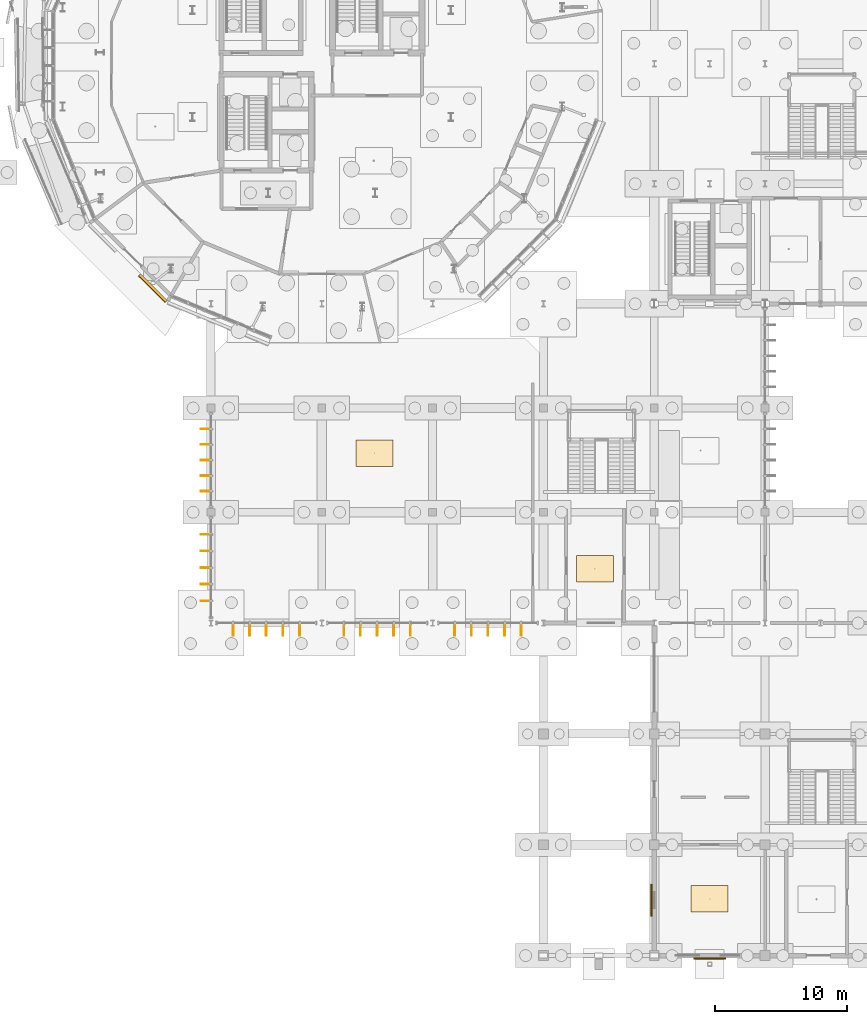
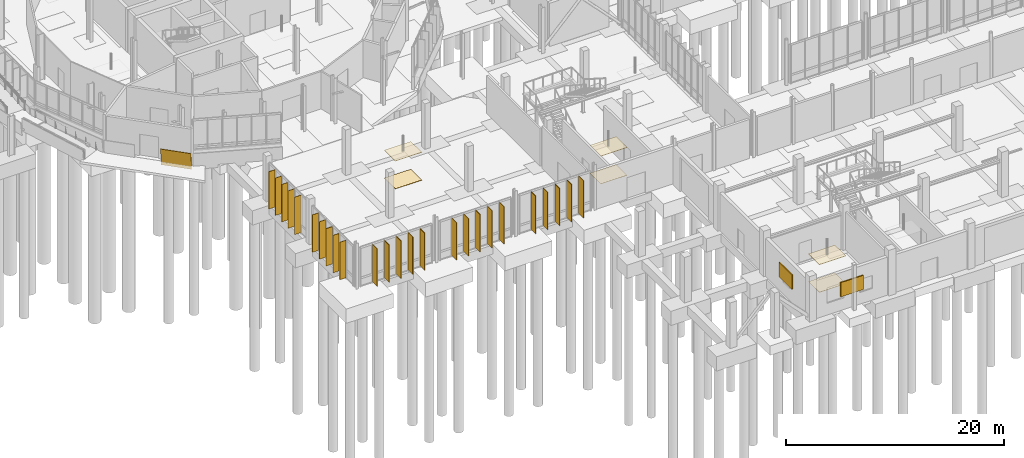
# One storey, part 108 of 119: 27 shading devices, 7 coverings.
"""IFC4 building model written with IfcOpenShell, lengths in metres."""

from ifc_helpers import new_model, si_unit, derived_unit, direction, frame, origin, origin_2d, place, context, subcontext, project, spatial, polyline, rectangle, outline, extrude, material, layer, layer_set, type_object, element, save


model = new_model("IFC4")

# Units and contexts
model_context = context("Model", 3, precision=1e-05, world=origin(), true_north=direction((0.0, 1.0)))
body_context = subcontext(model_context, "Body", "Model", "MODEL_VIEW")
ifc_project = project(units=[si_unit("LENGTHUNIT", "METRE"), si_unit("AREAUNIT", "SQUARE_METRE"), si_unit("VOLUMEUNIT", "CUBIC_METRE"), si_unit("PLANEANGLEUNIT", "RADIAN"), si_unit("MASSUNIT", "GRAM", prefix="KILO"), derived_unit("THERMALTRANSMITTANCEUNIT", [(si_unit("MASSUNIT", "GRAM", prefix="KILO"), 1), (si_unit("TIMEUNIT", "SECOND"), -3), (si_unit("THERMODYNAMICTEMPERATUREUNIT", "KELVIN"), -1)])], contexts=[model_context])

# Site, building, storey
site_placement = place(None, origin())
site = spatial("IfcSite", under=ifc_project, at=site_placement, CompositionType="ELEMENT")
building_placement = place(site_placement, origin())
building = spatial("IfcBuilding", under=site, at=building_placement, Name="Makaiwela Harbour Ferry Terminal", CompositionType="ELEMENT")
storey_placement = place(building_placement, origin())
storey = spatial("IfcBuildingStorey", under=building, at=storey_placement, Name="L00", CompositionType="ELEMENT", Elevation=0.0)

# Covering
ifc_material_1 = material(Name="White glazed marine ceramic rainscreen tile", Category="masonry")
ifc_layer_1 = layer(ifc_material_1, 0.054931640625)
ifc_layer_set_1 = layer_set([ifc_layer_1], Name="White glazed marine ceramic rainscreen tile")
covering_type_1 = type_object("IfcCoveringType", Name="ENV-CLD-CERAMIC", PredefinedType="CLADDING", material=ifc_layer_set_1)
covering_1_placement = place(storey_placement, frame((24.059326171875, 51.69140625, -0.3798828125), z_axis=(0.702867645068, 0.702909710281, 0.109064259545), x_axis=(0.707128191383, -0.707085370334, -3.244267e-06)))
element("IfcCovering", 1, at=covering_1_placement, inside=storey, type_object=covering_type_1, Name="Ceramic Spandrel Facet CLD-0018", PredefinedType="CLADDING", context=body_context, shape_type="SweptSolid", body=[
    extrude(outline(polyline([(0.0, 0.0), (2.8845330133735905, 0.0), (2.8845205351516805, -1.9113132564928752), (-0.00018510648615179833, -1.911294427222151), (0.0, 0.0)])), origin(), (0.0, 0.0, -1.0), 0.054931640625),
])

# Shading devices
ifc_material_2 = material(Name="Marine anodised aluminium 6063-T6", Category="aluminium")
ifc_layer_2 = layer(ifc_material_2, 0.054931640625)
ifc_layer_set_2 = layer_set([ifc_layer_2], Name="Marine anodised aluminium 6063-T6")
shading_device_type_1 = type_object("IfcShadingDeviceType", Name="ENV-FIN-650", PredefinedType="USERDEFINED", material=ifc_layer_set_2)
for number, where, z_axis, x_axis, name in (
    (2, (28.9619140625, 26.8798828125, 0.1669921875), (0.0, 0.0, 1.0), (-1.0, 0.0, 0.0), "Vertical Solar Fin SFN-0408"),
    (3, (28.9619140625, 28.139892578125, 0.1669921875), (0.0, 0.0, 1.0), (-1.0, 0.0, 0.0), "Vertical Solar Fin SFN-0409"),
    (4, (28.9619140625, 29.39990234375, 0.1669921875), (0.0, 0.0, 1.0), (-1.0, 0.0, 0.0), "Vertical Solar Fin SFN-0410"),
    (5, (28.9619140625, 30.659912109375, 0.1669921875), (0.0, 0.0, 1.0), (-1.0, 0.0, 0.0), "Vertical Solar Fin SFN-0411"),
    (6, (28.9619140625, 31.919921875, 0.1669921875), (0.0, 0.0, 1.0), (-1.0, 0.0, 0.0), "Vertical Solar Fin SFN-0412"),
    (7, (28.9619140625, 35.19677734375, 0.1669921875), (0.0, 0.0, 1.0), (-1.0, 0.0, 0.0), "Vertical Solar Fin SFN-0423"),
    (8, (28.9619140625, 36.373291015625, 0.1669921875), (0.0, 0.0, 1.0), (-1.0, 0.0, 0.0), "Vertical Solar Fin SFN-0424"),
    (9, (28.9619140625, 37.550048828125, 0.1669921875), (0.0, 0.0, 1.0), (-1.0, 0.0, 0.0), "Vertical Solar Fin SFN-0425"),
    (10, (28.9619140625, 38.726806640625, 0.1669921875), (0.0, 0.0, 1.0), (-1.0, 0.0, 0.0), "Vertical Solar Fin SFN-0426"),
    (11, (28.9619140625, 39.9033203125, 0.1669921875), (0.0, 0.0, 1.0), (-1.0, 0.0, 0.0), "Vertical Solar Fin SFN-0427"),
):
    element("IfcShadingDevice", number, at=place(storey_placement, frame(where, z_axis=z_axis, x_axis=x_axis)), inside=storey, type_object=shading_device_type_1, Name=name, ObjectType="SOLAR FIN", PredefinedType="USERDEFINED", context=body_context, shape_type="SweptSolid", body=[
        extrude(rectangle(XDim=0.64990234375, YDim=0.054931640625, at=origin_2d()), origin(), (0.0, 0.0, 1.0), 4.18994140625),
    ])
ifc_material_3 = material(Name="Thermally modified Accoya timber and anodised aluminium", Category="wood")
ifc_layer_3 = layer(ifc_material_3, 0.06005859375)
ifc_layer_set_3 = layer_set([ifc_layer_3], Name="Thermally modified Accoya timber and anodised aluminium")
shading_device_type_2 = type_object("IfcShadingDeviceType", Name="ENV-FIN-850", PredefinedType="USERDEFINED", material=ifc_layer_set_3)
for number, where, z_axis, x_axis, name in (
    (12, (36.1201171875, 24.662109375, 0.1669921875), (0.0, 0.0, 1.0), (0.0, -1.0, 0.0), "Vertical Solar Fin SFN-0323"),
    (13, (34.860107421875, 24.662109375, 0.1669921875), (0.0, 0.0, 1.0), (0.0, -1.0, 0.0), "Vertical Solar Fin SFN-0324"),
    (14, (33.60009765625, 24.662109375, 0.1669921875), (0.0, 0.0, 1.0), (0.0, -1.0, 0.0), "Vertical Solar Fin SFN-0325"),
    (15, (32.340087890625, 24.662109375, 0.1669921875), (0.0, 0.0, 1.0), (0.0, -1.0, 0.0), "Vertical Solar Fin SFN-0326"),
    (16, (31.080078125, 24.662109375, 0.1669921875), (0.0, 0.0, 1.0), (0.0, -1.0, 0.0), "Vertical Solar Fin SFN-0327"),
    (17, (44.52001953125, 24.662109375, 0.1669921875), (0.0, 0.0, 1.0), (0.0, -1.0, 0.0), "Vertical Solar Fin SFN-0338"),
    (18, (43.260009765625, 24.662109375, 0.1669921875), (0.0, 0.0, 1.0), (0.0, -1.0, 0.0), "Vertical Solar Fin SFN-0339"),
    (19, (42.0, 24.662109375, 0.1669921875), (0.0, 0.0, 1.0), (0.0, -1.0, 0.0), "Vertical Solar Fin SFN-0340"),
    (20, (40.739990234375, 24.662109375, 0.1669921875), (0.0, 0.0, 1.0), (0.0, -1.0, 0.0), "Vertical Solar Fin SFN-0341"),
    (21, (39.47998046875, 24.662109375, 0.1669921875), (0.0, 0.0, 1.0), (0.0, -1.0, 0.0), "Vertical Solar Fin SFN-0342"),
    (22, (52.919921875, 24.662109375, 0.1669921875), (0.0, 0.0, 1.0), (0.0, -1.0, 0.0), "Vertical Solar Fin SFN-0353"),
    (23, (51.659912109375, 24.662109375, 0.1669921875), (0.0, 0.0, 1.0), (0.0, -1.0, 0.0), "Vertical Solar Fin SFN-0354"),
    (24, (50.39990234375, 24.662109375, 0.1669921875), (0.0, 0.0, 1.0), (0.0, -1.0, 0.0), "Vertical Solar Fin SFN-0355"),
    (25, (49.139892578125, 24.662109375, 0.1669921875), (0.0, 0.0, 1.0), (0.0, -1.0, 0.0), "Vertical Solar Fin SFN-0356"),
    (26, (47.8798828125, 24.662109375, 0.1669921875), (0.0, 0.0, 1.0), (0.0, -1.0, 0.0), "Vertical Solar Fin SFN-0357"),
):
    element("IfcShadingDevice", number, at=place(storey_placement, frame(where, z_axis=z_axis, x_axis=x_axis)), inside=storey, type_object=shading_device_type_2, Name=name, ObjectType="SOLAR FIN", PredefinedType="USERDEFINED", context=body_context, shape_type="SweptSolid", body=[
        extrude(rectangle(XDim=0.85009765625, YDim=0.06005859375, at=origin_2d()), origin(), (0.0, 0.0, 1.0), 4.18994140625),
    ])
ifc_layer_4 = layer(ifc_material_2, 0.1201171875)
ifc_layer_set_4 = layer_set([ifc_layer_4], Name="Marine anodised aluminium 6063-T6")
shading_device_type_3 = type_object("IfcShadingDeviceType", Name="ENV-LVR-STORM", PredefinedType="JALOUSIE", material=ifc_layer_set_4)
for number, where, z_axis, x_axis, name in (
    (27, (67.199951171875, -0.219970703125, 1.599853515625), (0.0, 0.0, 1.0), (-1.0, 0.0, 0.0), "Storm Louvre Bank LV-001"),
    (28, (62.780029296875, 4.199951171875, 1.599853515625), (0.0, 0.0, 1.0), (0.0, 1.0, 0.0), "Storm Louvre Bank LV-006"),
):
    element("IfcShadingDevice", number, at=place(storey_placement, frame(where, z_axis=z_axis, x_axis=x_axis)), inside=storey, type_object=shading_device_type_3, Name=name, PredefinedType="JALOUSIE", context=body_context, shape_type="SweptSolid", body=[
        extrude(rectangle(XDim=2.39990234375, YDim=0.1201171875, at=origin_2d()), origin(), (0.0, 0.0, 1.0), 1.60009765625),
    ])

# Coverings
ifc_material_4 = material(Name="Thermally modified Accoya timber acoustic slat ceiling", Category="wood")
ifc_layer_5 = layer(ifc_material_4, 0.0400390625)
ifc_layer_set_5 = layer_set([ifc_layer_5], Name="Thermally modified Accoya timber acoustic slat ceiling")
covering_type_2 = type_object("IfcCoveringType", Name="INT-COV-CEIL", PredefinedType="CEILING", material=ifc_layer_set_5)
covering_2_placement = place(storey_placement, frame((0.0, 0.0, 3.10009765625)))
element("IfcCovering", 29, at=covering_2_placement, inside=storey, type_object=covering_type_2, Name="Acoustic Timber Ceiling CLG-010", PredefinedType="CEILING", context=body_context, shape_type="SweptSolid", body=[
    extrude(outline(polyline([(57.10009765625, 28.324951171875), (59.89990234375, 28.324951171875), (59.89990234375, 30.324951171875), (57.10009765625, 30.324951171875), (57.10009765625, 28.324951171875)])), origin(), (0.0, 0.0, 1.0), 0.039794921875),
])
covering_3_placement = place(storey_placement, frame((0.0, 0.0, 3.10009765625)))
element("IfcCovering", 30, at=covering_3_placement, inside=storey, type_object=covering_type_2, Name="Acoustic Timber Ceiling CLG-014", PredefinedType="CEILING", context=body_context, shape_type="SweptSolid", body=[
    extrude(outline(polyline([(40.39990234375, 37.07568359375), (43.199951171875, 37.07568359375), (43.199951171875, 39.07568359375), (40.39990234375, 39.07568359375), (40.39990234375, 37.07568359375)])), origin(), (0.0, 0.0, 1.0), 0.039794921875),
])
covering_4_placement = place(storey_placement, frame((0.0, 0.0, 3.10009765625)))
element("IfcCovering", 31, at=covering_4_placement, inside=storey, type_object=covering_type_2, Name="Acoustic Timber Ceiling CLG-022", PredefinedType="CEILING", context=body_context, shape_type="SweptSolid", body=[
    extrude(outline(polyline([(65.800048828125, 3.294921875), (68.60009765625, 3.294921875), (68.60009765625, 5.294921875), (65.800048828125, 5.294921875), (65.800048828125, 3.294921875)])), origin(), (0.0, 0.0, 1.0), 0.039794921875),
])
ifc_material_5 = material(Name="Honed coral-aggregate epoxy terrazzo flooring", Category="concrete")
ifc_layer_6 = layer(ifc_material_5, 0.02490234375)
ifc_layer_set_6 = layer_set([ifc_layer_6], Name="Honed coral-aggregate epoxy terrazzo flooring")
covering_type_3 = type_object("IfcCoveringType", Name="INT-COV-FLR", PredefinedType="FLOORING", material=ifc_layer_set_6)
covering_5_placement = place(storey_placement, origin())
element("IfcCovering", 32, at=covering_5_placement, inside=storey, type_object=covering_type_3, Name="Terrazzo Flooring FLG-010", PredefinedType="FLOORING", context=body_context, shape_type="SweptSolid", body=[
    extrude(outline(polyline([(57.10009765625, 28.324951171875), (59.89990234375, 28.324951171875), (59.89990234375, 30.324951171875), (57.10009765625, 30.324951171875), (57.10009765625, 28.324951171875)])), origin(), (0.0, 0.0, 1.0), 0.02490234375),
])
covering_6_placement = place(storey_placement, origin())
element("IfcCovering", 33, at=covering_6_placement, inside=storey, type_object=covering_type_3, Name="Terrazzo Flooring FLG-014", PredefinedType="FLOORING", context=body_context, shape_type="SweptSolid", body=[
    extrude(outline(polyline([(40.39990234375, 37.07568359375), (43.199951171875, 37.07568359375), (43.199951171875, 39.07568359375), (40.39990234375, 39.07568359375), (40.39990234375, 37.07568359375)])), origin(), (0.0, 0.0, 1.0), 0.02490234375),
])
covering_7_placement = place(storey_placement, origin())
element("IfcCovering", 34, at=covering_7_placement, inside=storey, type_object=covering_type_3, Name="Terrazzo Flooring FLG-022", PredefinedType="FLOORING", context=body_context, shape_type="SweptSolid", body=[
    extrude(outline(polyline([(65.800048828125, 3.294921875), (68.60009765625, 3.294921875), (68.60009765625, 5.294921875), (65.800048828125, 5.294921875), (65.800048828125, 3.294921875)])), origin(), (0.0, 0.0, 1.0), 0.02490234375),
])

save(model, "model.ifc")
